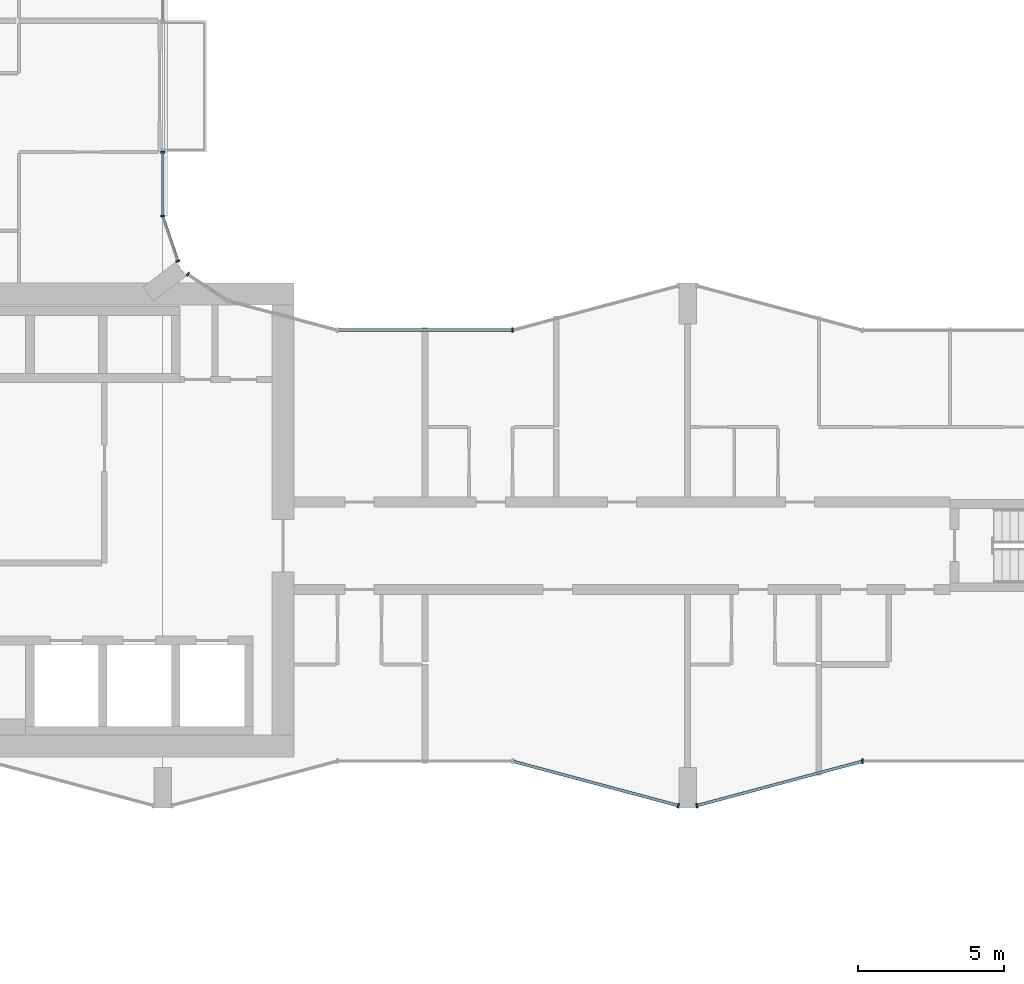
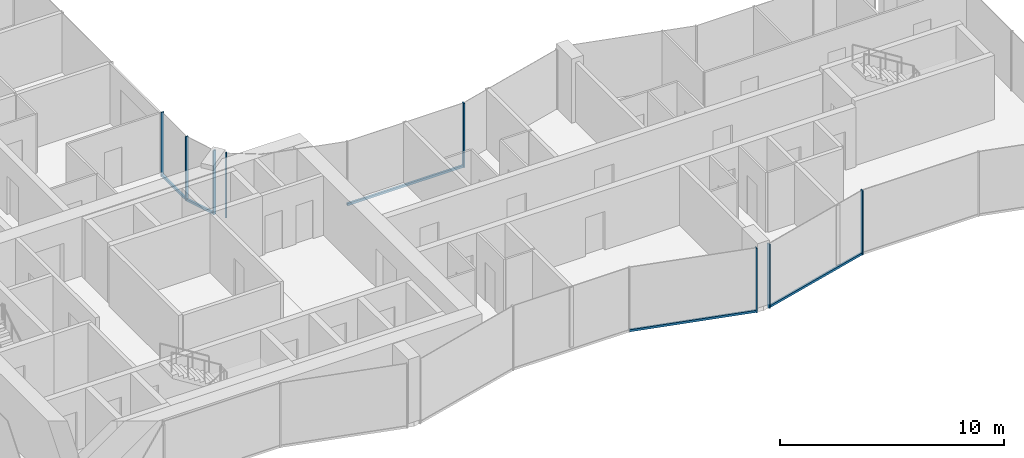
# One storey, part 4 of 22: 13 members, 7 elements without a shape of their own.
"""IFC4 building model written with IfcOpenShell, lengths in metres."""

from ifc_helpers import new_model, si_unit, direction, frame, origin, origin_2d, place, context, subcontext, project, spatial, rectangle, extrude, material, layer, layer_set, material_profile, profile_set, type_object, element, aggregate, save


model = new_model("IFC4")

# Units and contexts
model_context = context("Model", 3, precision=1e-05, world=origin(), true_north=direction((0.0, 1.0)))
body_context = subcontext(model_context, "Body", "Model", "MODEL_VIEW")
ifc_project = project(units=[si_unit("LENGTHUNIT", "METRE"), si_unit("AREAUNIT", "SQUARE_METRE"), si_unit("VOLUMEUNIT", "CUBIC_METRE"), si_unit("PLANEANGLEUNIT", "RADIAN"), si_unit("MASSUNIT", "GRAM", prefix="KILO")], contexts=[model_context])

# Site, building, storey
site_placement = place(None, origin())
site = spatial("IfcSite", under=ifc_project, at=site_placement, CompositionType="ELEMENT")
building_placement = place(site_placement, origin())
building = spatial("IfcBuilding", under=site, at=building_placement, Name="Plateau Cross Towers", CompositionType="ELEMENT")
storey_placement = place(building_placement, frame((0.0, 0.0, 54.800048828125)))
storey = spatial("IfcBuildingStorey", under=building, at=storey_placement, Name="L13", CompositionType="ELEMENT", Elevation=54.800048828125)

# Curtain wall, member
ifc_material_1 = material(Name="Dark low-iron glass", Category="glass")
ifc_layer_1 = layer(ifc_material_1, 0.239990234375)
ifc_layer_set_1 = layer_set([ifc_layer_1], Name="Dark low-iron glass")
curtain_wall_type_1 = type_object("IfcCurtainWallType", Name="Curtain wall flush unitised CW-B", PredefinedType="NOTDEFINED", material=ifc_layer_set_1)
curtain_wall_1_placement = place(storey_placement, origin())
curtain_wall_1 = element("IfcCurtainWall", 1, at=curtain_wall_1_placement, inside=storey, type_object=curtain_wall_type_1, Name="ENV/A/L13/A202_174", PredefinedType="NOTDEFINED")
ifc_material_2 = material(Name="Black anodised aluminium", Category="aluminium")
ifc_material_profile_1 = material_profile(ifc_material_2, rectangle(XDim=0.06005859375, YDim=0.139892578125, at=origin_2d()), Name="MULLION 60x140")
ifc_profile_set_1 = profile_set([ifc_material_profile_1], Name="Black anodised aluminium")
member_type_1 = type_object("IfcMemberType", Name="Mullion 60x140 flush unitised", PredefinedType="MULLION", material=ifc_profile_set_1)
member_1_placement = place(storey_placement, frame((18.86962890625, 18.30908203125, -0.25), z_axis=(0.0, 0.0, 1.0), x_axis=(-0.831521253329, 0.555492938984, 0.0)))
member_1 = element("IfcMember", 2, at=member_1_placement, type_object=member_type_1, Name="CW-B mullion 2", PredefinedType="MULLION", context=body_context, shape_type="SweptSolid", body=[
    extrude(rectangle(XDim=0.06005859375, YDim=0.139892578125, at=origin_2d()), origin(), (0.0, 0.0, 1.0), 3.5),
])
aggregate(curtain_wall_1, [member_1])

curtain_wall_2_placement = place(storey_placement, origin())
curtain_wall_2 = element("IfcCurtainWall", 3, at=curtain_wall_2_placement, inside=storey, type_object=curtain_wall_type_1, Name="ENV/A/L13/A185_188", PredefinedType="NOTDEFINED")
member_2_placement = place(storey_placement, frame((18.523681640625, 18.760009765625, -0.25), z_axis=(0.0, 0.0, 1.0), x_axis=(-0.321469161574, 0.94692004845, 0.0)))
member_2 = element("IfcMember", 4, at=member_2_placement, type_object=member_type_1, Name="CW-B mullion 1", PredefinedType="MULLION", context=body_context, shape_type="SweptSolid", body=[
    extrude(rectangle(XDim=0.06005859375, YDim=0.139892578125, at=origin_2d()), origin(), (0.0, 0.0, 1.0), 3.5),
])

# Curtain wall, members
curtain_wall_3_placement = place(storey_placement, origin())
curtain_wall_3 = element("IfcCurtainWall", 5, at=curtain_wall_3_placement, inside=storey, type_object=curtain_wall_type_1, Name="ENV/A/L13/A180_203", PredefinedType="NOTDEFINED")
member_3_placement = place(storey_placement, frame((18.0, 20.30224609375, -0.25), z_axis=(0.0, 0.0, 1.0), x_axis=(0.0, 1.0, 0.0)))
member_3 = element("IfcMember", 6, at=member_3_placement, type_object=member_type_1, Name="CW-B mullion 1", PredefinedType="MULLION", context=body_context, shape_type="SweptSolid", body=[
    extrude(rectangle(XDim=0.06005859375, YDim=0.139892578125, at=origin_2d()), origin(), (0.0, 0.0, 1.0), 3.5),
])
member_4_placement = place(storey_placement, frame((18.0, 22.489990234375, -0.25), z_axis=(0.0, 0.0, 1.0), x_axis=(0.0, 1.0, 0.0)))
member_4 = element("IfcMember", 7, at=member_4_placement, type_object=member_type_1, Name="CW-B mullion 2", PredefinedType="MULLION", context=body_context, shape_type="SweptSolid", body=[
    extrude(rectangle(XDim=0.06005859375, YDim=0.139892578125, at=origin_2d()), origin(), (0.0, 0.0, 1.0), 3.5),
])

# Curtain wall, member
ifc_layer_2 = layer(ifc_material_1, 0.260009765625)
ifc_layer_set_2 = layer_set([ifc_layer_2], Name="Dark low-iron glass")
curtain_wall_type_2 = type_object("IfcCurtainWallType", Name="Curtain wall fluted unitised CW-A", PredefinedType="NOTDEFINED", material=ifc_layer_set_2)
curtain_wall_4_placement = place(storey_placement, origin())
curtain_wall_4 = element("IfcCurtainWall", 8, at=curtain_wall_4_placement, inside=storey, type_object=curtain_wall_type_2, Name="ENV/A/L13/A300_16", PredefinedType="NOTDEFINED")
ifc_material_profile_2 = material_profile(ifc_material_2, rectangle(XDim=0.06005859375, YDim=0.159912109375, at=origin_2d()), Name="MULLION 60x160")
ifc_profile_set_2 = profile_set([ifc_material_profile_2], Name="Black anodised aluminium")
member_type_2 = type_object("IfcMemberType", Name="Mullion 60x160 fluted unitised", PredefinedType="MULLION", material=ifc_profile_set_2)
member_5_placement = place(storey_placement, frame((35.68212890625, 0.085205078125, -0.25), z_axis=(0.0, 0.0, 1.0), x_axis=(0.965957983404, -0.258699003279, 0.0)))
member_5 = element("IfcMember", 9, at=member_5_placement, type_object=member_type_2, Name="CW-A mullion 2", PredefinedType="MULLION", context=body_context, shape_type="SweptSolid", body=[
    extrude(rectangle(XDim=0.06005859375, YDim=0.159912109375, at=origin_2d()), origin(), (0.0, 0.0, 1.0), 3.5),
])

curtain_wall_5_placement = place(storey_placement, origin())
curtain_wall_5 = element("IfcCurtainWall", 10, at=curtain_wall_5_placement, inside=storey, type_object=curtain_wall_type_2, Name="ENV/A/L13/A363_1", PredefinedType="NOTDEFINED")
member_6_placement = place(storey_placement, frame((36.31787109375, 0.085205078125, -0.25), z_axis=(0.0, 0.0, 1.0), x_axis=(0.965957983404, 0.258699003279, 0.0)))
member_6 = element("IfcMember", 11, at=member_6_placement, type_object=member_type_2, Name="CW-A mullion 1", PredefinedType="MULLION", context=body_context, shape_type="SweptSolid", body=[
    extrude(rectangle(XDim=0.06005859375, YDim=0.159912109375, at=origin_2d()), origin(), (0.0, 0.0, 1.0), 3.5),
])

curtain_wall_6_placement = place(storey_placement, origin())
curtain_wall_6 = element("IfcCurtainWall", 12, at=curtain_wall_6_placement, inside=storey, type_object=curtain_wall_type_2, Name="ENV/A/L13/A420_16", PredefinedType="NOTDEFINED")
member_7_placement = place(storey_placement, frame((42.0, 1.60693359375, -0.25), z_axis=(0.0, 0.0, 1.0), x_axis=(1.0, 0.0, 0.0)))
member_7 = element("IfcMember", 13, at=member_7_placement, type_object=member_type_2, Name="CW-A mullion 1", PredefinedType="MULLION", context=body_context, shape_type="SweptSolid", body=[
    extrude(rectangle(XDim=0.06005859375, YDim=0.159912109375, at=origin_2d()), origin(), (0.0, 0.0, 1.0), 3.5),
])
aggregate(curtain_wall_6, [member_7])

curtain_wall_7_placement = place(storey_placement, origin())
curtain_wall_7 = element("IfcCurtainWall", 14, at=curtain_wall_7_placement, inside=storey, type_object=curtain_wall_type_2, Name="ENV/A/L13/A300_164", PredefinedType="NOTDEFINED")
member_8_placement = place(storey_placement, frame((30.0, 16.39306640625, -0.25), z_axis=(0.0, 0.0, 1.0), x_axis=(-1.0, 0.0, 0.0)))
member_8 = element("IfcMember", 15, at=member_8_placement, type_object=member_type_2, Name="CW-A mullion 1", PredefinedType="MULLION", context=body_context, shape_type="SweptSolid", body=[
    extrude(rectangle(XDim=0.06005859375, YDim=0.159912109375, at=origin_2d()), origin(), (0.0, 0.0, 1.0), 3.5),
])

# Member
ifc_material_profile_3 = material_profile(ifc_material_2, rectangle(XDim=0.10009765625, YDim=0.1201171875, at=origin_2d()), Name="TRANSOM 100x120")
ifc_profile_set_3 = profile_set([ifc_material_profile_3], Name="Black anodised aluminium")
member_type_3 = type_object("IfcMemberType", Name="Transom 100x120 flush unitised", PredefinedType="USERDEFINED", material=ifc_profile_set_3)
member_9_placement = place(storey_placement, frame((18.523681640625, 18.760009765625, -0.18994140625), z_axis=(-0.321529174838, 0.946899672472, 0.0), x_axis=(-0.946899672472, -0.321529174838, 0.0)))
member_9 = element("IfcMember", 16, at=member_9_placement, type_object=member_type_3, Name="CW-B transom", ObjectType="TRANSOM", PredefinedType="USERDEFINED", context=body_context, shape_type="SweptSolid", body=[
    extrude(rectangle(XDim=0.10009765625, YDim=0.1201171875, at=origin_2d()), origin(), (0.0, 0.0, 1.0), 1.628662109375),
])

aggregate(curtain_wall_2, [member_2, member_9])

member_10_placement = place(storey_placement, frame((18.0, 20.30224609375, -0.18994140625), z_axis=(0.0, 1.0, 0.0), x_axis=(-1.0, 0.0, 0.0)))
member_10 = element("IfcMember", 17, at=member_10_placement, type_object=member_type_3, Name="CW-B transom", ObjectType="TRANSOM", PredefinedType="USERDEFINED", context=body_context, shape_type="SweptSolid", body=[
    extrude(rectangle(XDim=0.10009765625, YDim=0.1201171875, at=origin_2d()), origin(), (0.0, 0.0, 1.0), 2.187744140625),
])

aggregate(curtain_wall_3, [member_3, member_4, member_10])

ifc_material_profile_4 = material_profile(ifc_material_2, rectangle(XDim=0.10009765625, YDim=0.1201171875, at=origin_2d()), Name="TRANSOM 100x120")
ifc_profile_set_4 = profile_set([ifc_material_profile_4], Name="Black anodised aluminium")
member_type_4 = type_object("IfcMemberType", Name="Transom 100x120 fluted unitised", PredefinedType="USERDEFINED", material=ifc_profile_set_4)
member_11_placement = place(storey_placement, frame((30.0, 1.60693359375, -0.18994140625), z_axis=(0.965959534794, -0.258693210465, 0.0), x_axis=(0.258693210465, 0.965959534794, 0.0)))
member_11 = element("IfcMember", 18, at=member_11_placement, type_object=member_type_4, Name="CW-A transom", ObjectType="TRANSOM", PredefinedType="USERDEFINED", context=body_context, shape_type="SweptSolid", body=[
    extrude(rectangle(XDim=0.10009765625, YDim=0.1201171875, at=origin_2d()), origin(), (0.0, 0.0, 1.0), 5.88232421875),
])

aggregate(curtain_wall_4, [member_5, member_11])

member_12_placement = place(storey_placement, frame((36.31787109375, 0.085205078125, -0.18994140625), z_axis=(0.965959534794, 0.258693210465, 0.0), x_axis=(-0.258693210465, 0.965959534794, 0.0)))
member_12 = element("IfcMember", 19, at=member_12_placement, type_object=member_type_4, Name="CW-A transom", ObjectType="TRANSOM", PredefinedType="USERDEFINED", context=body_context, shape_type="SweptSolid", body=[
    extrude(rectangle(XDim=0.10009765625, YDim=0.1201171875, at=origin_2d()), origin(), (0.0, 0.0, 1.0), 5.88232421875),
])

aggregate(curtain_wall_5, [member_6, member_12])

member_13_placement = place(storey_placement, frame((30.0, 16.39306640625, -0.18994140625), z_axis=(-1.0, 0.0, 0.0), x_axis=(0.0, -1.0, 0.0)))
member_13 = element("IfcMember", 20, at=member_13_placement, type_object=member_type_4, Name="CW-A transom", ObjectType="TRANSOM", PredefinedType="USERDEFINED", context=body_context, shape_type="SweptSolid", body=[
    extrude(rectangle(XDim=0.10009765625, YDim=0.1201171875, at=origin_2d()), origin(), (0.0, 0.0, 1.0), 6.0),
])

aggregate(curtain_wall_7, [member_8, member_13])

save(model, "model.ifc")
